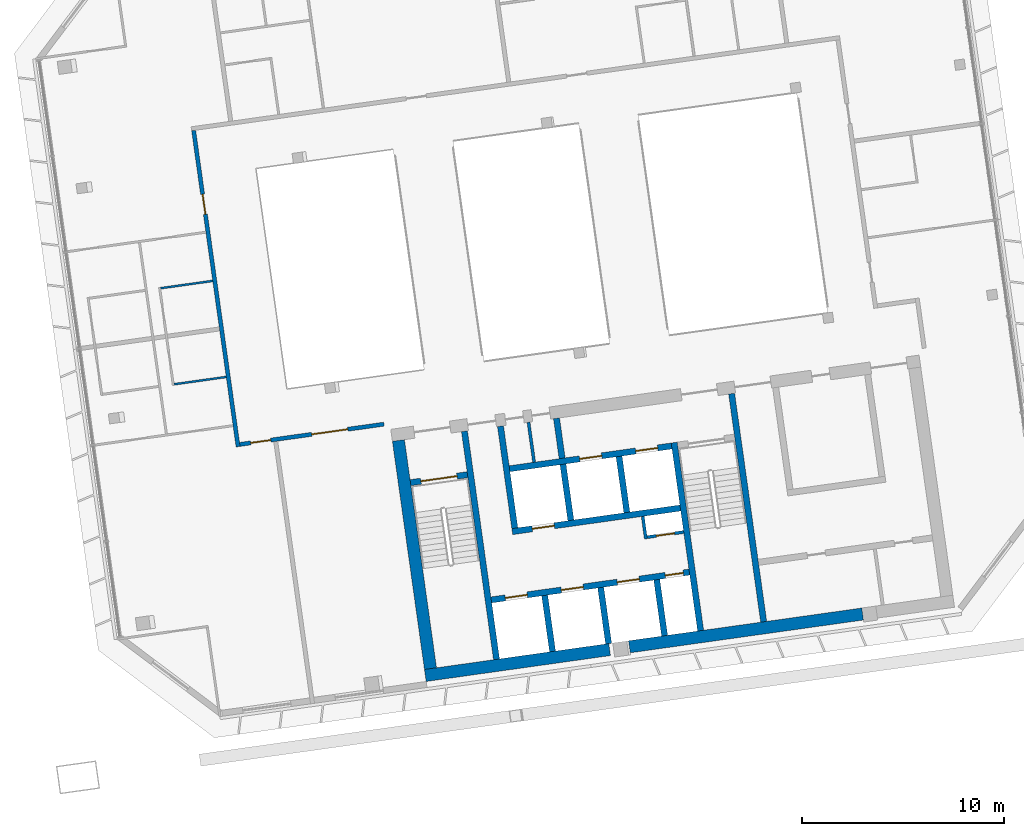
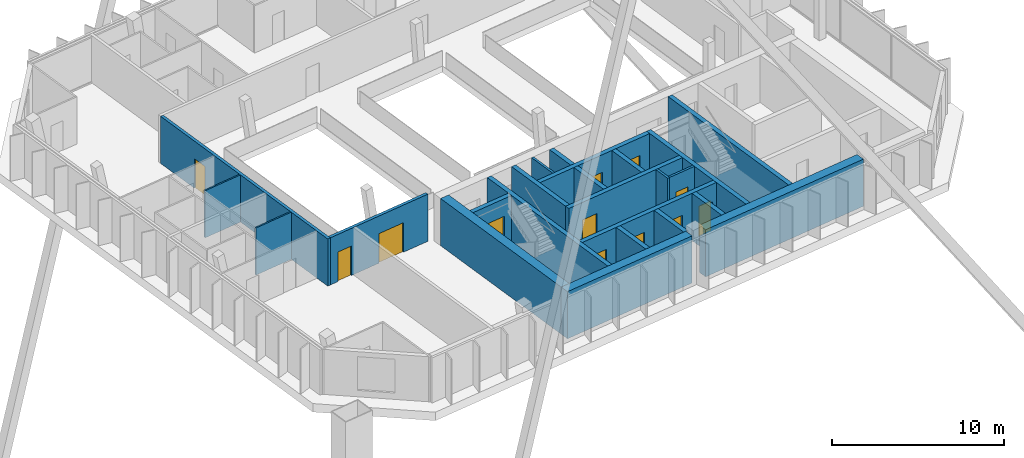
# One storey, part 23 of 28: 24 walls, 12 doors, 12 openings.
"""IFC4 building model written with IfcOpenShell, lengths in metres."""

from ifc_helpers import new_model, si_unit, direction, frame, frame_2d, origin, place, context, subcontext, project, spatial, rectangle, extrude, material, layer, layer_set, type_object, element, fill, save


model = new_model("IFC4")

# Units and contexts
model_context = context("Model", 3, precision=1e-05, world=origin(), true_north=direction((0.0, 1.0)))
body_context = subcontext(model_context, "Body", "Model", "MODEL_VIEW")
ifc_project = project(units=[si_unit("LENGTHUNIT", "METRE"), si_unit("AREAUNIT", "SQUARE_METRE"), si_unit("VOLUMEUNIT", "CUBIC_METRE"), si_unit("PLANEANGLEUNIT", "RADIAN"), si_unit("MASSUNIT", "GRAM", prefix="KILO")], contexts=[model_context])

# Site, building, storey
site_placement = place(None, origin())
site = spatial("IfcSite", under=ifc_project, at=site_placement, CompositionType="ELEMENT")
building_placement = place(site_placement, origin())
building = spatial("IfcBuilding", under=site, at=building_placement, Name="Mirante Cascada Hotel Towers", CompositionType="ELEMENT")
storey_placement = place(building_placement, frame((0.0, 0.0, 243.2)))
storey = spatial("IfcBuildingStorey", under=building, at=storey_placement, Name="L58", CompositionType="ELEMENT", Elevation=243.2)

# Wall, openings, doors
ifc_material_1 = material(Name="Fire-rated plasterboard on metal studs")
ifc_layer_1 = layer(ifc_material_1, 0.2)
ifc_layer_set_1 = layer_set([ifc_layer_1], Name="Compartment wall 200 EI 120")
wall_type_1 = type_object("IfcWallType", Name="Compartment wall 200 EI 120", PredefinedType="PARTITIONING", material=ifc_layer_set_1)
wall_1_placement = place(storey_placement, frame((35.2634, -7.1173, 0.0), z_axis=(0.0, 0.0, 1.0), x_axis=(-0.9902689, -0.1391674, 0.0)))
wall_1 = element("IfcWall", 1, at=wall_1_placement, inside=storey, type_object=wall_type_1, Name="Wall 2-L58-02", PredefinedType="PARTITIONING", context=body_context, shape_type="SweptSolid", body=[
    extrude(rectangle(XDim=7.2, YDim=0.2, at=frame_2d((3.6, 0.0))), origin(), (0.0, 0.0, 1.0), 3.35),
])
opening_1_placement = place(wall_1_placement, frame((5.6594, 0.0, 0.0)))
opening_1 = element("IfcOpeningElement", 2, at=opening_1_placement, cuts=wall_1, Name="Opening D2-L58-02", PredefinedType="OPENING", context=body_context, shape_type="SweptSolid", body=[
    extrude(rectangle(XDim=1.0, YDim=2.1, at=frame_2d((0.5, 1.05))), frame((0.0, 0.1, 0.0), z_axis=(0.0, -1.0, 0.0), x_axis=(1.0, 0.0, 0.0)), (0.0, 0.0, 1.0), 0.2),
])
opening_2_placement = place(wall_1_placement, frame((1.8094, 0.0, 0.0)))
opening_2 = element("IfcOpeningElement", 3, at=opening_2_placement, cuts=wall_1, Name="Opening D2-L58-03", PredefinedType="OPENING", context=body_context, shape_type="SweptSolid", body=[
    extrude(rectangle(XDim=1.8, YDim=2.1, at=frame_2d((0.9, 1.05))), frame((0.0, 0.1, 0.0), z_axis=(0.0, -1.0, 0.0), x_axis=(1.0, 0.0, 0.0)), (0.0, 0.0, 1.0), 0.2),
])
ifc_material_2 = material(Name="Fire-rated timber door leaf", Category="wood")
door_type_1 = type_object("IfcDoorType", Name="Entrance door DG1 1000x2100 EI 60", OperationType="SINGLE_SWING_LEFT", PredefinedType="DOOR", material=ifc_material_2)
door_1_placement = place(opening_1_placement, origin())
door_1 = element("IfcDoor", 4, at=door_1_placement, inside=storey, type_object=door_type_1, Name="Door D2-L58-02", OperationType="SINGLE_SWING_LEFT", OverallHeight=2.1, OverallWidth=1.0, PredefinedType="DOOR", context=body_context, shape_type="SweptSolid", body=[
    extrude(rectangle(XDim=1.0, YDim=2.1, at=frame_2d((0.5, 1.05))), frame((0.0, 0.025, 0.0), z_axis=(0.0, -1.0, 0.0), x_axis=(1.0, 0.0, 0.0)), (0.0, 0.0, 1.0), 0.05),
])
fill(opening_1, door_1)
ifc_material_3 = material(Name="Fire-rated timber door leaf", Category="wood")
door_type_2 = type_object("IfcDoorType", Name="Suite double door DG2 1800x2100 EI 60", OperationType="DOUBLE_DOOR_SINGLE_SWING", PredefinedType="DOOR", material=ifc_material_3)
door_2_placement = place(opening_2_placement, origin())
door_2 = element("IfcDoor", 5, at=door_2_placement, inside=storey, type_object=door_type_2, Name="Door D2-L58-03", OperationType="DOUBLE_DOOR_SINGLE_SWING", OverallHeight=2.1, OverallWidth=1.8, PredefinedType="DOOR", context=body_context, shape_type="SweptSolid", body=[
    extrude(rectangle(XDim=0.895, YDim=2.1, at=frame_2d((0.4475, 1.05))), frame((0.0, 0.025, 0.0), z_axis=(0.0, -1.0, 0.0), x_axis=(1.0, 0.0, 0.0)), (0.0, 0.0, 1.0), 0.05),
    extrude(rectangle(XDim=0.895, YDim=2.1, at=frame_2d((1.3525, 1.05))), frame((0.0, 0.025, 0.0), z_axis=(0.0, -1.0, 0.0), x_axis=(1.0, 0.0, 0.0)), (0.0, 0.0, 1.0), 0.05),
])
fill(opening_2, door_2)

# Wall, opening, door
wall_2_placement = place(storey_placement, frame((25.8494, 7.414, 0.0), z_axis=(0.0, 0.0, 1.0), x_axis=(0.1391766, -0.9902676, 0.0)))
wall_2 = element("IfcWall", 6, at=wall_2_placement, inside=storey, type_object=wall_type_1, Name="Wall 2-L58-32", PredefinedType="PARTITIONING", context=body_context, shape_type="SweptSolid", body=[
    extrude(rectangle(XDim=15.8001, YDim=0.2, at=frame_2d((7.9, 0.0))), origin(), (0.0, 0.0, 1.0), 3.35),
])
opening_3_placement = place(wall_2_placement, frame((3.1834, 0.0, 0.0)))
opening_3 = element("IfcOpeningElement", 7, at=opening_3_placement, cuts=wall_2, Name="Opening D2-L58-23", PredefinedType="OPENING", context=body_context, shape_type="SweptSolid", body=[
    extrude(rectangle(XDim=1.0, YDim=2.1, at=frame_2d((0.5, 1.05))), frame((0.0, 0.1, 0.0), z_axis=(0.0, -1.0, 0.0), x_axis=(1.0, 0.0, 0.0)), (0.0, 0.0, 1.0), 0.2),
])
door_3_placement = place(opening_3_placement, frame((1.0, 0.0, 0.0), z_axis=(0.0, 0.0, 1.0), x_axis=(-1.0, 0.0, 0.0)))
door_3 = element("IfcDoor", 8, at=door_3_placement, inside=storey, type_object=door_type_1, Name="Door D2-L58-23", OperationType="SINGLE_SWING_RIGHT", OverallHeight=2.1, OverallWidth=1.0, PredefinedType="DOOR", context=body_context, shape_type="SweptSolid", body=[
    extrude(rectangle(XDim=1.0, YDim=2.1, at=frame_2d((0.5, 1.05))), frame((0.0, 0.025, 0.0), z_axis=(0.0, -1.0, 0.0), x_axis=(1.0, 0.0, 0.0)), (0.0, 0.0, 1.0), 0.05),
])
fill(opening_3, door_3)

# Wall
ifc_material_4 = material(Name="Masonry block", Category="masonry")
ifc_layer_2 = layer(ifc_material_4, 0.15)
ifc_layer_set_2 = layer_set([ifc_layer_2], Name="Core room partition 150 block EI 30")
wall_type_2 = type_object("IfcWallType", Name="Core room partition 150 block EI 30", PredefinedType="PARTITIONING", material=ifc_layer_set_2)
wall_3_placement = place(storey_placement, frame((48.2295, -12.793, 0.0), z_axis=(0.0, 0.0, 1.0), x_axis=(-0.1391935, 0.9902652, 0.0)))
element("IfcWall", 9, at=wall_3_placement, inside=storey, type_object=wall_type_2, Name="Core wall partition T2 L58 2", PredefinedType="PARTITIONING", context=body_context, shape_type="SweptSolid", body=[
    extrude(rectangle(XDim=1.1251, YDim=0.15, at=frame_2d((0.5626, 0.0))), origin(), (0.0, 0.0, 1.0), 3.35),
])

# Wall, opening, door
wall_4_placement = place(storey_placement, frame((48.2933, -12.7083, 0.0), z_axis=(0.0, 0.0, 1.0), x_axis=(0.990268, 0.1391734, 0.0)))
wall_4 = element("IfcWall", 10, at=wall_4_placement, inside=storey, type_object=wall_type_2, Name="Core wall partition T2 L58 3", PredefinedType="PARTITIONING", context=body_context, shape_type="SweptSolid", body=[
    extrude(rectangle(XDim=1.8251, YDim=0.15, at=frame_2d((0.9126, 0.0))), origin(), (0.0, 0.0, 1.0), 3.35),
])
opening_4_placement = place(wall_4_placement, frame((0.4625, 0.0, 0.0)))
opening_4 = element("IfcOpeningElement", 11, at=opening_4_placement, cuts=wall_4, Name="Opening D2-58-C15", PredefinedType="OPENING", context=body_context, shape_type="SweptSolid", body=[
    extrude(rectangle(XDim=0.9, YDim=2.1, at=frame_2d((0.45, 1.05))), frame((0.0, 0.075, 0.0), z_axis=(0.0, -1.0, 0.0), x_axis=(1.0, 0.0, 0.0)), (0.0, 0.0, 1.0), 0.15),
])
ifc_material_5 = material(Name="Hollow metal fire door leaf")
door_type_3 = type_object("IfcDoorType", Name="Fire door 900x2100 FD60", OperationType="NOTDEFINED", PredefinedType="DOOR", material=ifc_material_5)
door_4_placement = place(opening_4_placement, frame((0.9, 0.0, 0.0), z_axis=(0.0, 0.0, 1.0), x_axis=(-1.0, 0.0, 0.0)))
door_4 = element("IfcDoor", 12, at=door_4_placement, inside=storey, type_object=door_type_3, Name="Riser door T2 L58 15", OperationType="SINGLE_SWING_RIGHT", OverallHeight=2.1, OverallWidth=0.9, PredefinedType="DOOR", context=body_context, shape_type="SweptSolid", body=[
    extrude(rectangle(XDim=0.9, YDim=2.1, at=frame_2d((0.45, 1.05))), frame((0.0, 0.025, 0.0), z_axis=(0.0, -1.0, 0.0), x_axis=(1.0, 0.0, 0.0)), (0.0, 0.0, 1.0), 0.05),
])
fill(opening_4, door_4)

# Walls
wall_5_placement = place(storey_placement, frame((42.6979, -9.0009, 0.0), z_axis=(0.0, 0.0, 1.0), x_axis=(-0.1391529, 0.9902709, 0.0)))
element("IfcWall", 13, at=wall_5_placement, inside=storey, type_object=wall_type_2, Name="Core wall partition T2 L58 4", PredefinedType="PARTITIONING", context=body_context, shape_type="SweptSolid", body=[
    extrude(rectangle(XDim=2.0, YDim=0.15, at=frame_2d((1.0, 0.0))), origin(), (0.0, 0.0, 1.0), 3.35),
])
ifc_material_6 = material(Name="Masonry block", Category="masonry")
ifc_layer_3 = layer(ifc_material_6, 0.3)
ifc_layer_set_3 = layer_set([ifc_layer_3], Name="Core wall 300 block EI 120")
wall_type_3 = type_object("IfcWallType", Name="Core wall 300 block EI 120", PredefinedType="PARTITIONING", material=ifc_layer_set_3)
wall_6_placement = place(storey_placement, frame((44.0843, -8.8061, 0.0), z_axis=(0.0, 0.0, 1.0), x_axis=(-0.1391951, 0.990265, 0.0)))
element("IfcWall", 14, at=wall_6_placement, inside=storey, type_object=wall_type_3, Name="Core wall partition T2 L58 1", PredefinedType="PARTITIONING", context=body_context, shape_type="SweptSolid", body=[
    extrude(rectangle(XDim=2.0001, YDim=0.3, at=frame_2d((1.0001, 0.0))), origin(), (0.0, 0.0, 1.0), 3.35),
])
ifc_material_7 = material(Name="Plasterboard on metal studs")
ifc_layer_4 = layer(ifc_material_7, 0.1)
ifc_layer_set_4 = layer_set([ifc_layer_4], Name="Partition 100")
wall_type_4 = type_object("IfcWallType", Name="Partition 100", PredefinedType="PARTITIONING", material=ifc_layer_set_4)
for number, where, z_axis, x_axis, name in (
    (15, (27.4622, -4.7802, 0.0), (0.0, 0.0, 1.0), (-0.9902662, -0.1391865, 0.0), "Wall 2-L58-06"),
    (16, (26.7942, -0.027, 0.0), (0.0, 0.0, 1.0), (-0.9902715, -0.1391488, 0.0), "Wall 2-L58-10"),
):
    element("IfcWall", number, at=place(storey_placement, frame(where, z_axis=z_axis, x_axis=x_axis)), inside=storey, type_object=wall_type_4, Name=name, PredefinedType="PARTITIONING", context=body_context, shape_type="SweptSolid", body=[
        extrude(rectangle(XDim=2.6001, YDim=0.1, at=frame_2d((1.3, 0.0))), origin(), (0.0, 0.0, 1.0), 3.35),
    ])
ifc_material_8 = material(Name="Concrete C50/60", Category="concrete")
ifc_layer_5 = layer(ifc_material_8, 0.3)
ifc_layer_set_5 = layer_set([ifc_layer_5], Name="RC core wall 300 C50/60")
wall_type_5 = type_object("IfcWallType", Name="RC core wall 300 C50/60", PredefinedType="SHEAR", material=ifc_layer_set_5)
wall_7_placement = place(storey_placement, frame((40.8373, -18.7548, 0.0), z_axis=(0.0, 0.0, 1.0), x_axis=(-0.1391749, 0.9902678, 0.0)))
element("IfcWall", 17, at=wall_7_placement, inside=storey, type_object=wall_type_5, Name="Core wall T2:L58:5", PredefinedType="SHEAR", context=body_context, shape_type="SweptSolid", body=[
    extrude(rectangle(XDim=11.4, YDim=0.3, at=frame_2d((5.7, 0.0))), origin(), (0.0, 0.0, 1.0), 3.35),
])
wall_8_placement = place(storey_placement, frame((50.938, -17.3352, 0.0), z_axis=(0.0, 0.0, 1.0), x_axis=(-0.1391706, 0.9902684, 0.0)))
element("IfcWall", 18, at=wall_8_placement, inside=storey, type_object=wall_type_5, Name="Core wall T2:L58:6", PredefinedType="SHEAR", context=body_context, shape_type="SweptSolid", body=[
    extrude(rectangle(XDim=9.4, YDim=0.3, at=frame_2d((4.7, 0.0))), origin(), (0.0, 0.0, 1.0), 3.35),
])
wall_9_placement = place(storey_placement, frame((54.0574, -16.8968, 0.0), z_axis=(0.0, 0.0, 1.0), x_axis=(-0.1391761, 0.9902677, 0.0)))
element("IfcWall", 19, at=wall_9_placement, inside=storey, type_object=wall_type_5, Name="Core wall T2:L58:7", PredefinedType="SHEAR", context=body_context, shape_type="SweptSolid", body=[
    extrude(rectangle(XDim=11.3999, YDim=0.3, at=frame_2d((5.7, 0.0))), origin(), (0.0, 0.0, 1.0), 3.35),
])

# Wall, opening, door
wall_10_placement = place(storey_placement, frame((36.5791, -10.0123, 0.0), z_axis=(0.0, 0.0, 1.0), x_axis=(0.9902704, 0.1391564, 0.0)))
wall_10 = element("IfcWall", 20, at=wall_10_placement, inside=storey, type_object=wall_type_5, Name="Core wall T2:L58:8", PredefinedType="SHEAR", context=body_context, shape_type="SweptSolid", body=[
    extrude(rectangle(XDim=2.85, YDim=0.3, at=frame_2d((1.425, 0.0))), origin(), (0.0, 0.0, 1.0), 3.35),
])
opening_5_placement = place(wall_10_placement, frame((0.525, 0.0, 0.0)))
opening_5 = element("IfcOpeningElement", 21, at=opening_5_placement, cuts=wall_10, Name="Opening D2-58-C07", PredefinedType="OPENING", context=body_context, shape_type="SweptSolid", body=[
    extrude(rectangle(XDim=1.8, YDim=2.1, at=frame_2d((0.9, 1.05))), frame((0.0, 0.15, 0.0), z_axis=(0.0, -1.0, 0.0), x_axis=(1.0, 0.0, 0.0)), (0.0, 0.0, 1.0), 0.3),
])
ifc_material_9 = material(Name="Hollow metal fire door leaf")
door_type_4 = type_object("IfcDoorType", Name="Double fire door 1800x2100 FD60", OperationType="DOUBLE_DOOR_SINGLE_SWING", PredefinedType="DOOR", material=ifc_material_9)
door_5_placement = place(opening_5_placement, frame((1.8, 0.0, 0.0), z_axis=(0.0, 0.0, 1.0), x_axis=(-1.0, 0.0, 0.0)))
door_5 = element("IfcDoor", 22, at=door_5_placement, inside=storey, type_object=door_type_4, Name="Stair door T2 L58 7", OperationType="DOUBLE_DOOR_SINGLE_SWING", OverallHeight=2.1, OverallWidth=1.8, PredefinedType="DOOR", context=body_context, shape_type="SweptSolid", body=[
    extrude(rectangle(XDim=0.895, YDim=2.1, at=frame_2d((0.4475, 1.05))), frame((0.0, 0.025, 0.0), z_axis=(0.0, -1.0, 0.0), x_axis=(1.0, 0.0, 0.0)), (0.0, 0.0, 1.0), 0.05),
    extrude(rectangle(XDim=0.895, YDim=2.1, at=frame_2d((1.3525, 1.05))), frame((0.0, 0.025, 0.0), z_axis=(0.0, -1.0, 0.0), x_axis=(1.0, 0.0, 0.0)), (0.0, 0.0, 1.0), 0.05),
])
fill(opening_5, door_5)

# Wall, openings, doors
wall_11_placement = place(storey_placement, frame((40.5753, -15.8126, 0.0), z_axis=(0.0, 0.0, 1.0), x_axis=(0.9902682, 0.1391725, 0.0)))
wall_11 = element("IfcWall", 23, at=wall_11_placement, inside=storey, type_object=wall_type_5, Name="Core wall T2:L58:10", PredefinedType="SHEAR", context=body_context, shape_type="SweptSolid", body=[
    extrude(rectangle(XDim=9.8999, YDim=0.3, at=frame_2d((4.95, 0.0))), origin(), (0.0, 0.0, 1.0), 3.35),
])
opening_6_placement = place(wall_11_placement, frame((0.7, 0.0, 0.0)))
opening_6 = element("IfcOpeningElement", 24, at=opening_6_placement, cuts=wall_11, Name="Opening LD", PredefinedType="OPENING", context=body_context, shape_type="SweptSolid", body=[
    extrude(rectangle(XDim=1.1, YDim=2.1, at=frame_2d((0.55, 1.05))), frame((0.0, 0.15, 0.0), z_axis=(0.0, -1.0, 0.0), x_axis=(1.0, 0.0, 0.0)), (0.0, 0.0, 1.0), 0.3),
])
opening_7_placement = place(wall_11_placement, frame((3.5, 0.0, 0.0)))
opening_7 = element("IfcOpeningElement", 25, at=opening_7_placement, cuts=wall_11, Name="Opening LD", PredefinedType="OPENING", context=body_context, shape_type="SweptSolid", body=[
    extrude(rectangle(XDim=1.1, YDim=2.1, at=frame_2d((0.55, 1.05))), frame((0.0, 0.15, 0.0), z_axis=(0.0, -1.0, 0.0), x_axis=(1.0, 0.0, 0.0)), (0.0, 0.0, 1.0), 0.3),
])
opening_8_placement = place(wall_11_placement, frame((6.3, 0.0, 0.0)))
opening_8 = element("IfcOpeningElement", 26, at=opening_8_placement, cuts=wall_11, Name="Opening LD", PredefinedType="OPENING", context=body_context, shape_type="SweptSolid", body=[
    extrude(rectangle(XDim=1.1, YDim=2.1, at=frame_2d((0.55, 1.05))), frame((0.0, 0.15, 0.0), z_axis=(0.0, -1.0, 0.0), x_axis=(1.0, 0.0, 0.0)), (0.0, 0.0, 1.0), 0.3),
])
opening_9_placement = place(wall_11_placement, frame((8.7, 0.0, 0.0)))
opening_9 = element("IfcOpeningElement", 27, at=opening_9_placement, cuts=wall_11, Name="Opening D2-58-C14", PredefinedType="OPENING", context=body_context, shape_type="SweptSolid", body=[
    extrude(rectangle(XDim=0.9, YDim=2.1, at=frame_2d((0.45, 1.05))), frame((0.0, 0.15, 0.0), z_axis=(0.0, -1.0, 0.0), x_axis=(1.0, 0.0, 0.0)), (0.0, 0.0, 1.0), 0.3),
])
door_6_placement = place(opening_9_placement, frame((0.9, 0.0, 0.0), z_axis=(0.0, 0.0, 1.0), x_axis=(-1.0, 0.0, 0.0)))
door_6 = element("IfcDoor", 28, at=door_6_placement, inside=storey, type_object=door_type_3, Name="Riser door T2 L58 14", OperationType="SINGLE_SWING_RIGHT", OverallHeight=2.1, OverallWidth=0.9, PredefinedType="DOOR", context=body_context, shape_type="SweptSolid", body=[
    extrude(rectangle(XDim=0.9, YDim=2.1, at=frame_2d((0.45, 1.05))), frame((0.0, 0.025, 0.0), z_axis=(0.0, -1.0, 0.0), x_axis=(1.0, 0.0, 0.0)), (0.0, 0.0, 1.0), 0.05),
])
fill(opening_9, door_6)
ifc_material_10 = material(Name="Stainless steel", Category="steel")
door_type_5 = type_object("IfcDoorType", Name="Lift landing door 1100x2100 EI 120", OperationType="DOUBLE_DOOR_SLIDING", PredefinedType="DOOR", material=ifc_material_10)
door_7_placement = place(opening_6_placement, origin())
door_7 = element("IfcDoor", 29, at=door_7_placement, inside=storey, type_object=door_type_5, Name="Lift landing door HR2-1 L58", OperationType="DOUBLE_DOOR_SLIDING", OverallHeight=2.1, OverallWidth=1.1, PredefinedType="DOOR", context=body_context, shape_type="SweptSolid", body=[
    extrude(rectangle(XDim=0.545, YDim=2.1, at=frame_2d((0.2725, 1.05))), frame((0.0, 0.025, 0.0), z_axis=(0.0, -1.0, 0.0), x_axis=(1.0, 0.0, 0.0)), (0.0, 0.0, 1.0), 0.05),
    extrude(rectangle(XDim=0.545, YDim=2.1, at=frame_2d((0.8275, 1.05))), frame((0.0, 0.025, 0.0), z_axis=(0.0, -1.0, 0.0), x_axis=(1.0, 0.0, 0.0)), (0.0, 0.0, 1.0), 0.05),
])
fill(opening_6, door_7)
door_8_placement = place(opening_7_placement, origin())
door_8 = element("IfcDoor", 30, at=door_8_placement, inside=storey, type_object=door_type_5, Name="Lift landing door HR2-2 L58", OperationType="DOUBLE_DOOR_SLIDING", OverallHeight=2.1, OverallWidth=1.1, PredefinedType="DOOR", context=body_context, shape_type="SweptSolid", body=[
    extrude(rectangle(XDim=0.545, YDim=2.1, at=frame_2d((0.2725, 1.05))), frame((0.0, 0.025, 0.0), z_axis=(0.0, -1.0, 0.0), x_axis=(1.0, 0.0, 0.0)), (0.0, 0.0, 1.0), 0.05),
    extrude(rectangle(XDim=0.545, YDim=2.1, at=frame_2d((0.8275, 1.05))), frame((0.0, 0.025, 0.0), z_axis=(0.0, -1.0, 0.0), x_axis=(1.0, 0.0, 0.0)), (0.0, 0.0, 1.0), 0.05),
])
fill(opening_7, door_8)
door_9_placement = place(opening_8_placement, origin())
door_9 = element("IfcDoor", 31, at=door_9_placement, inside=storey, type_object=door_type_5, Name="Lift landing door HR2-3 L58", OperationType="DOUBLE_DOOR_SLIDING", OverallHeight=2.1, OverallWidth=1.1, PredefinedType="DOOR", context=body_context, shape_type="SweptSolid", body=[
    extrude(rectangle(XDim=0.545, YDim=2.1, at=frame_2d((0.2725, 1.05))), frame((0.0, 0.025, 0.0), z_axis=(0.0, -1.0, 0.0), x_axis=(1.0, 0.0, 0.0)), (0.0, 0.0, 1.0), 0.05),
    extrude(rectangle(XDim=0.545, YDim=2.1, at=frame_2d((0.8275, 1.05))), frame((0.0, 0.025, 0.0), z_axis=(0.0, -1.0, 0.0), x_axis=(1.0, 0.0, 0.0)), (0.0, 0.0, 1.0), 0.05),
])
fill(opening_8, door_9)

# Wall, opening, door
wall_12_placement = place(storey_placement, frame((41.6153, -12.435, 0.0), z_axis=(0.0, 0.0, 1.0), x_axis=(0.9902691, 0.139166, 0.0)))
wall_12 = element("IfcWall", 32, at=wall_12_placement, inside=storey, type_object=wall_type_5, Name="Core wall T2:L58:11", PredefinedType="SHEAR", context=body_context, shape_type="SweptSolid", body=[
    extrude(rectangle(XDim=8.4, YDim=0.3, at=frame_2d((4.2, 0.0))), origin(), (0.0, 0.0, 1.0), 3.35),
])
opening_10_placement = place(wall_12_placement, frame((1.0, 0.0, 0.0)))
opening_10 = element("IfcOpeningElement", 33, at=opening_10_placement, cuts=wall_12, Name="Opening LD", PredefinedType="OPENING", context=body_context, shape_type="SweptSolid", body=[
    extrude(rectangle(XDim=1.1, YDim=2.1, at=frame_2d((0.55, 1.05))), frame((0.0, 0.15, 0.0), z_axis=(0.0, -1.0, 0.0), x_axis=(1.0, 0.0, 0.0)), (0.0, 0.0, 1.0), 0.3),
])
door_10_placement = place(opening_10_placement, origin())
door_10 = element("IfcDoor", 34, at=door_10_placement, inside=storey, type_object=door_type_5, Name="Lift landing door HR2-4 L58", OperationType="DOUBLE_DOOR_SLIDING", OverallHeight=2.1, OverallWidth=1.1, PredefinedType="DOOR", context=body_context, shape_type="SweptSolid", body=[
    extrude(rectangle(XDim=0.545, YDim=2.1, at=frame_2d((0.2725, 1.05))), frame((0.0, 0.025, 0.0), z_axis=(0.0, -1.0, 0.0), x_axis=(1.0, 0.0, 0.0)), (0.0, 0.0, 1.0), 0.05),
    extrude(rectangle(XDim=0.545, YDim=2.1, at=frame_2d((0.8275, 1.05))), frame((0.0, 0.025, 0.0), z_axis=(0.0, -1.0, 0.0), x_axis=(1.0, 0.0, 0.0)), (0.0, 0.0, 1.0), 0.05),
])
fill(opening_10, door_10)

# Wall, openings, doors
wall_13_placement = place(storey_placement, frame((41.481, -9.3234, 0.0), z_axis=(0.0, 0.0, 1.0), x_axis=(0.9902679, 0.1391741, 0.0)))
wall_13 = element("IfcWall", 35, at=wall_13_placement, inside=storey, type_object=wall_type_5, Name="Core wall T2:L58:12", PredefinedType="SHEAR", context=body_context, shape_type="SweptSolid", body=[
    extrude(rectangle(XDim=8.0999, YDim=0.3, at=frame_2d((4.05, 0.0))), origin(), (0.0, 0.0, 1.0), 3.35),
])
opening_11_placement = place(wall_13_placement, frame((3.5, 0.0, 0.0)))
opening_11 = element("IfcOpeningElement", 36, at=opening_11_placement, cuts=wall_13, Name="Opening LD", PredefinedType="OPENING", context=body_context, shape_type="SweptSolid", body=[
    extrude(rectangle(XDim=1.1, YDim=2.1, at=frame_2d((0.55, 1.05))), frame((0.0, 0.15, 0.0), z_axis=(0.0, -1.0, 0.0), x_axis=(1.0, 0.0, 0.0)), (0.0, 0.0, 1.0), 0.3),
])
opening_12_placement = place(wall_13_placement, frame((6.3, 0.0, 0.0)))
opening_12 = element("IfcOpeningElement", 37, at=opening_12_placement, cuts=wall_13, Name="Opening LD", PredefinedType="OPENING", context=body_context, shape_type="SweptSolid", body=[
    extrude(rectangle(XDim=1.1, YDim=2.1, at=frame_2d((0.55, 1.05))), frame((0.0, 0.15, 0.0), z_axis=(0.0, -1.0, 0.0), x_axis=(1.0, 0.0, 0.0)), (0.0, 0.0, 1.0), 0.3),
])
door_11_placement = place(opening_11_placement, origin())
door_11 = element("IfcDoor", 38, at=door_11_placement, inside=storey, type_object=door_type_5, Name="Lift landing door FF3 L58", OperationType="DOUBLE_DOOR_SLIDING", OverallHeight=2.1, OverallWidth=1.1, PredefinedType="DOOR", context=body_context, shape_type="SweptSolid", body=[
    extrude(rectangle(XDim=0.545, YDim=2.1, at=frame_2d((0.2725, 1.05))), frame((0.0, 0.025, 0.0), z_axis=(0.0, -1.0, 0.0), x_axis=(1.0, 0.0, 0.0)), (0.0, 0.0, 1.0), 0.05),
    extrude(rectangle(XDim=0.545, YDim=2.1, at=frame_2d((0.8275, 1.05))), frame((0.0, 0.025, 0.0), z_axis=(0.0, -1.0, 0.0), x_axis=(1.0, 0.0, 0.0)), (0.0, 0.0, 1.0), 0.05),
])
fill(opening_11, door_11)
door_12_placement = place(opening_12_placement, origin())
door_12 = element("IfcDoor", 39, at=door_12_placement, inside=storey, type_object=door_type_5, Name="Lift landing door FF4 L58", OperationType="DOUBLE_DOOR_SLIDING", OverallHeight=2.1, OverallWidth=1.1, PredefinedType="DOOR", context=body_context, shape_type="SweptSolid", body=[
    extrude(rectangle(XDim=0.545, YDim=2.1, at=frame_2d((0.2725, 1.05))), frame((0.0, 0.025, 0.0), z_axis=(0.0, -1.0, 0.0), x_axis=(1.0, 0.0, 0.0)), (0.0, 0.0, 1.0), 0.05),
    extrude(rectangle(XDim=0.545, YDim=2.1, at=frame_2d((0.8275, 1.05))), frame((0.0, 0.025, 0.0), z_axis=(0.0, -1.0, 0.0), x_axis=(1.0, 0.0, 0.0)), (0.0, 0.0, 1.0), 0.05),
])
fill(opening_12, door_12)

# Walls
wall_14_placement = place(storey_placement, frame((43.61, -18.3651, 0.0), z_axis=(0.0, 0.0, 1.0), x_axis=(-0.1391459, 0.9902719, 0.0)))
element("IfcWall", 40, at=wall_14_placement, inside=storey, type_object=wall_type_5, Name="Core wall T2:L58:13", PredefinedType="SHEAR", context=body_context, shape_type="SweptSolid", body=[
    extrude(rectangle(XDim=2.7999, YDim=0.3, at=frame_2d((1.4, 0.0))), origin(), (0.0, 0.0, 1.0), 3.35),
])
wall_15_placement = place(storey_placement, frame((46.3828, -17.9754, 0.0), z_axis=(0.0, 0.0, 1.0), x_axis=(-0.139181, 0.990267, 0.0)))
element("IfcWall", 41, at=wall_15_placement, inside=storey, type_object=wall_type_5, Name="Core wall T2:L58:14", PredefinedType="SHEAR", context=body_context, shape_type="SweptSolid", body=[
    extrude(rectangle(XDim=2.8, YDim=0.3, at=frame_2d((1.4, 0.0))), origin(), (0.0, 0.0, 1.0), 3.35),
])
wall_16_placement = place(storey_placement, frame((49.1555, -17.5857, 0.0), z_axis=(0.0, 0.0, 1.0), x_axis=(-0.1391459, 0.9902719, 0.0)))
element("IfcWall", 42, at=wall_16_placement, inside=storey, type_object=wall_type_5, Name="Core wall T2:L58:15", PredefinedType="SHEAR", context=body_context, shape_type="SweptSolid", body=[
    extrude(rectangle(XDim=2.7999, YDim=0.3, at=frame_2d((1.4, 0.0))), origin(), (0.0, 0.0, 1.0), 3.35),
])
for number, where, z_axis, x_axis, name in (
    (43, (44.5157, -11.8759, 0.0), (0.0, 0.0, 1.0), (-0.139181, 0.990267, 0.0), "Core wall T2:L58:16"),
    (44, (47.2885, -11.4862, 0.0), (0.0, 0.0, 1.0), (-0.139181, 0.990267, 0.0), "Core wall T2:L58:17"),
):
    element("IfcWall", number, at=place(storey_placement, frame(where, z_axis=z_axis, x_axis=x_axis)), inside=storey, type_object=wall_type_5, Name=name, PredefinedType="SHEAR", context=body_context, shape_type="SweptSolid", body=[
        extrude(rectangle(XDim=2.8, YDim=0.3, at=frame_2d((1.4, 0.0))), origin(), (0.0, 0.0, 1.0), 3.35),
    ])
wall_17_placement = place(storey_placement, frame((41.743, -12.2656, 0.0), z_axis=(0.0, 0.0, 1.0), x_axis=(-0.1391755, 0.9902677, 0.0)))
element("IfcWall", 45, at=wall_17_placement, inside=storey, type_object=wall_type_5, Name="Core wall T2:L58:18", PredefinedType="SHEAR", context=body_context, shape_type="SweptSolid", body=[
    extrude(rectangle(XDim=5.1, YDim=0.3, at=frame_2d((2.55, 0.0))), origin(), (0.0, 0.0, 1.0), 3.35),
])
ifc_material_11 = material(Name="Concrete C50/60", Category="concrete")
ifc_layer_6 = layer(ifc_material_11, 0.6)
ifc_layer_set_6 = layer_set([ifc_layer_6], Name="RC core wall 600 C50/60")
wall_type_6 = type_object("IfcWallType", Name="RC core wall 600 C50/60", PredefinedType="SHEAR", material=ifc_layer_set_6)
wall_18_placement = place(storey_placement, frame((37.3141, -19.5529, 0.0), z_axis=(0.0, 0.0, 1.0), x_axis=(0.9902684, 0.139171, 0.0)))
element("IfcWall", 46, at=wall_18_placement, inside=storey, type_object=wall_type_6, Name="Core wall T2:L58:1.1", PredefinedType="SHEAR", context=body_context, shape_type="SweptSolid", body=[
    extrude(rectangle(XDim=9.2088, YDim=0.6, at=frame_2d((4.6044, 0.0))), origin(), (0.0, 0.0, 1.0), 3.35),
])
wall_19_placement = place(storey_placement, frame((47.4148, -18.1333, 0.0), z_axis=(0.0, 0.0, 1.0), x_axis=(0.9902688, 0.1391678, 0.0)))
element("IfcWall", 47, at=wall_19_placement, inside=storey, type_object=wall_type_6, Name="Core wall T2:L58:1.2", PredefinedType="SHEAR", context=body_context, shape_type="SweptSolid", body=[
    extrude(rectangle(XDim=11.65, YDim=0.6, at=frame_2d((5.825, 0.0))), origin(), (0.0, 0.0, 1.0), 3.35),
])
wall_20_placement = place(storey_placement, frame((37.5694, -19.2141, 0.0), z_axis=(0.0, 0.0, 1.0), x_axis=(-0.1391749, 0.9902678, 0.0)))
element("IfcWall", 48, at=wall_20_placement, inside=storey, type_object=wall_type_6, Name="Core wall T2:L58:3", PredefinedType="SHEAR", context=body_context, shape_type="SweptSolid", body=[
    extrude(rectangle(XDim=11.4, YDim=0.6, at=frame_2d((5.7, 0.0))), origin(), (0.0, 0.0, 1.0), 3.35),
])

save(model, "model.ifc")
